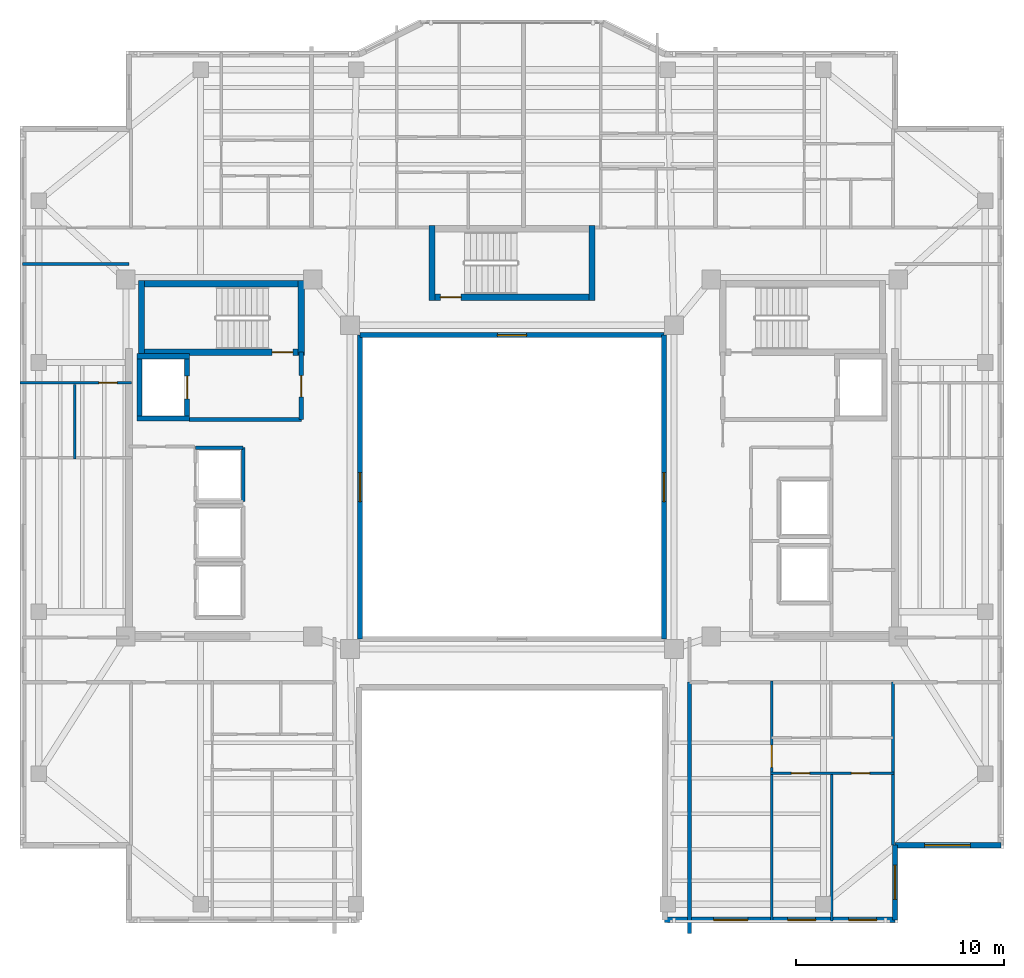
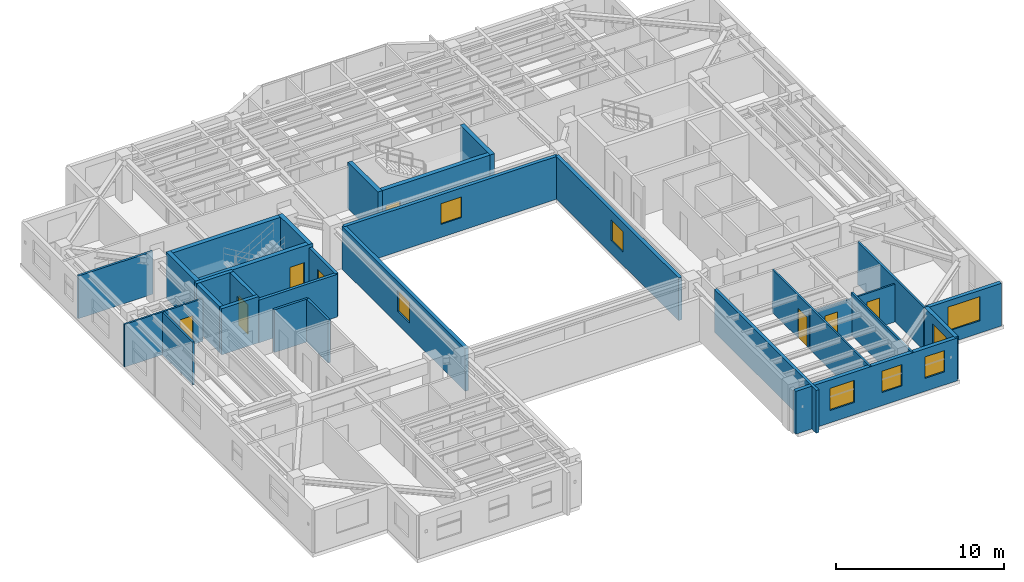
# One storey, part 5 of 12: 29 walls, 8 doors, 8 windows, 16 openings.
"""IFC4 building model written with IfcOpenShell, lengths in metres."""

from ifc_helpers import new_model, si_unit, direction, frame, frame_2d, origin, place, context, subcontext, project, spatial, rectangle, extrude, material, layer, layer_set, type_object, element, fill, save


model = new_model("IFC4")

# Units and contexts
model_context = context("Model", 3, precision=1e-05, world=origin(), true_north=direction((0.0, 1.0)))
body_context = subcontext(model_context, "Body", "Model", "MODEL_VIEW")
ifc_project = project(units=[si_unit("LENGTHUNIT", "METRE"), si_unit("AREAUNIT", "SQUARE_METRE"), si_unit("VOLUMEUNIT", "CUBIC_METRE"), si_unit("PLANEANGLEUNIT", "RADIAN"), si_unit("MASSUNIT", "GRAM", prefix="KILO")], contexts=[model_context])

# Site, building, storey
site_placement = place(None, origin())
site = spatial("IfcSite", under=ifc_project, at=site_placement, CompositionType="ELEMENT")
building_placement = place(site_placement, origin())
building = spatial("IfcBuilding", under=site, at=building_placement, Name="Tarnavaz Court Tower", CompositionType="ELEMENT")
storey_placement = place(building_placement, frame((0.0, 0.0, 203.64990234375)))
storey = spatial("IfcBuildingStorey", under=building, at=storey_placement, Name="L55", CompositionType="ELEMENT", Elevation=203.64990234375)

# Wall
ifc_material_1 = material(Name="Concrete C50/60", Category="concrete")
ifc_layer_1 = layer(ifc_material_1, 0.25)
ifc_layer_set_1 = layer_set([ifc_layer_1], Name="Concrete C50/60")
wall_type_1 = type_object("IfcWallType", Name="WL-CORE-250-C50", PredefinedType="SHEAR", material=ifc_layer_set_1)
wall_1_placement = place(storey_placement, frame((-17.949951171875, 3.175048828125, 0.0), z_axis=(0.0, 0.0, 1.0), x_axis=(0.0, 1.0, 0.0)))
element("IfcWall", 1, at=wall_1_placement, inside=storey, type_object=wall_type_1, Name="L55 Lift FL-W1 Shaft Wall 017", PredefinedType="SHEAR", context=body_context, shape_type="SweptSolid", body=[
    extrude(rectangle(XDim=3.25, YDim=0.25, at=frame_2d((1.625, 0.0))), origin(), (0.0, 0.0, 1.0), 3.35009765625),
])

# Wall, opening, door
wall_2_placement = place(storey_placement, frame((-15.64990234375, 3.175048828125, 0.0), z_axis=(0.0, 0.0, 1.0), x_axis=(0.0, 1.0, 0.0)))
wall_2 = element("IfcWall", 2, at=wall_2_placement, inside=storey, type_object=wall_type_1, Name="L55 Lift FL-W1 Shaft Wall 018", PredefinedType="SHEAR", context=body_context, shape_type="SweptSolid", body=[
    extrude(rectangle(XDim=3.25, YDim=0.25, at=frame_2d((1.625, 0.0))), origin(), (0.0, 0.0, 1.0), 3.35009765625),
])
opening_1_placement = place(wall_2_placement, frame((1.074951171875, 0.0, 0.0)))
opening_1 = element("IfcOpeningElement", 3, at=opening_1_placement, cuts=wall_2, Name="Opening LD1", PredefinedType="OPENING", context=body_context, shape_type="SweptSolid", body=[
    extrude(rectangle(XDim=1.10009765625, YDim=2.14990234375, at=frame_2d((0.550048828125, 1.074951171875))), frame((0.0, 0.135009765625, 0.0), z_axis=(0.0, -1.0, 0.0), x_axis=(1.0, 0.0, 0.0)), (0.0, 0.0, 1.0), 0.27001953125),
])
ifc_material_2 = material(Name="Stainless Steel", Category="steel")
door_type_1 = type_object("IfcDoorType", Name="DR-LD-1100", OperationType="NOTDEFINED", PredefinedType="DOOR", material=ifc_material_2)
door_1_placement = place(opening_1_placement, origin())
door_1 = element("IfcDoor", 4, at=door_1_placement, inside=storey, type_object=door_type_1, Name="L55 Lift Landing Door LD-FL-W1", OperationType="SLIDING_TO_LEFT", OverallHeight=2.14990234375, OverallWidth=1.10009765625, PredefinedType="DOOR", context=body_context, shape_type="SweptSolid", body=[
    extrude(rectangle(XDim=1.10009765625, YDim=2.14990234375, at=frame_2d((0.550048828125, 1.074951171875))), frame((0.0, 0.02490234375, 0.0), z_axis=(0.0, -1.0, 0.0), x_axis=(1.0, 0.0, 0.0)), (0.0, 0.0, 1.0), 0.050048828125),
])
fill(opening_1, door_1)

# Walls
for number, where, z_axis, x_axis, name in (
    (5, (-18.074951171875, 3.300048828125, 0.0), (0.0, 0.0, 1.0), (1.0, 0.0, 0.0), "L55 Lift FL-W1 Shaft Wall 019"),
    (6, (-18.074951171875, 6.300048828125, 0.0), (0.0, 0.0, 1.0), (1.0, 0.0, 0.0), "L55 Lift FL-W1 Shaft Wall 020"),
):
    element("IfcWall", number, at=place(storey_placement, frame(where, z_axis=z_axis, x_axis=x_axis)), inside=storey, type_object=wall_type_1, Name=name, PredefinedType="SHEAR", context=body_context, shape_type="SweptSolid", body=[
        extrude(rectangle(XDim=2.550048828125, YDim=0.25, at=frame_2d((1.27490234375, 0.0))), origin(), (0.0, 0.0, 1.0), 3.35009765625),
    ])
ifc_layer_2 = layer(ifc_material_1, 0.300048828125)
ifc_layer_set_2 = layer_set([ifc_layer_2], Name="Concrete C50/60")
wall_type_2 = type_object("IfcWallType", Name="WL-CORE-300-C50", PredefinedType="SHEAR", material=ifc_layer_set_2)
wall_3_placement = place(storey_placement, frame((-18.0, 9.7900390625, 0.0), z_axis=(0.0, 0.0, 1.0), x_axis=(1.0, 0.0, 0.0)))
element("IfcWall", 7, at=wall_3_placement, inside=storey, type_object=wall_type_2, Name="L55 West Stair Core Wall 001", PredefinedType="SHEAR", context=body_context, shape_type="SweptSolid", body=[
    extrude(rectangle(XDim=8.0, YDim=0.300048828125, at=frame_2d((4.0, 0.0))), origin(), (0.0, 0.0, 1.0), 3.35009765625),
])

# Wall, opening, door
wall_4_placement = place(storey_placement, frame((-18.0, 6.5, 0.0), z_axis=(0.0, 0.0, 1.0), x_axis=(1.0, 0.0, 0.0)))
wall_4 = element("IfcWall", 8, at=wall_4_placement, inside=storey, type_object=wall_type_2, Name="L55 West Stair Core Wall 002", PredefinedType="SHEAR", context=body_context, shape_type="SweptSolid", body=[
    extrude(rectangle(XDim=8.0, YDim=0.300048828125, at=frame_2d((4.0, 0.0))), origin(), (0.0, 0.0, 1.0), 3.35009765625),
])
opening_2_placement = place(wall_4_placement, frame((6.449951171875, 0.0, 0.0)))
opening_2 = element("IfcOpeningElement", 9, at=opening_2_placement, cuts=wall_4, Name="Opening D01", PredefinedType="OPENING", context=body_context, shape_type="SweptSolid", body=[
    extrude(rectangle(XDim=1.0, YDim=2.14990234375, at=frame_2d((0.5, 1.074951171875))), frame((0.0, 0.159912109375, 0.0), z_axis=(0.0, -1.0, 0.0), x_axis=(1.0, 0.0, 0.0)), (0.0, 0.0, 1.0), 0.320068359375),
])
ifc_material_3 = material(Name="Fire-Rated Hardwood Timber Core", Category="wood")
door_type_2 = type_object("IfcDoorType", Name="DR-FD90-1000", OperationType="NOTDEFINED", PredefinedType="DOOR", material=ifc_material_3)
door_2_placement = place(opening_2_placement, origin())
door_2 = element("IfcDoor", 10, at=door_2_placement, inside=storey, type_object=door_type_2, Name="L55 Stair ST-W1 Exit Door", OperationType="SINGLE_SWING_LEFT", OverallHeight=2.14990234375, OverallWidth=1.0, PredefinedType="DOOR", context=body_context, shape_type="SweptSolid", body=[
    extrude(rectangle(XDim=1.0, YDim=2.14990234375, at=frame_2d((0.5, 1.074951171875))), frame((0.0, 0.02490234375, 0.0), z_axis=(0.0, -1.0, 0.0), x_axis=(1.0, 0.0, 0.0)), (0.0, 0.0, 1.0), 0.050048828125),
])
fill(opening_2, door_2)

# Walls
for number, where, z_axis, x_axis, name in (
    (11, (-17.85009765625, 6.35009765625, 0.0), (0.0, 0.0, 1.0), (0.0, 1.0, 0.0), "L55 West Stair Core Wall 003"),
    (12, (-10.14990234375, 6.35009765625, 0.0), (0.0, 0.0, 1.0), (0.0, 1.0, 0.0), "L55 West Stair Core Wall 004"),
):
    element("IfcWall", number, at=place(storey_placement, frame(where, z_axis=z_axis, x_axis=x_axis)), inside=storey, type_object=wall_type_2, Name=name, PredefinedType="SHEAR", context=body_context, shape_type="SweptSolid", body=[
        extrude(rectangle(XDim=3.58984375, YDim=0.300048828125, at=frame_2d((1.794921875, 0.0))), origin(), (0.0, 0.0, 1.0), 3.35009765625),
    ])

# Wall, opening, door
wall_5_placement = place(storey_placement, frame((-4.0, 9.14990234375, 0.0), z_axis=(0.0, 0.0, 1.0), x_axis=(1.0, 0.0, 0.0)))
wall_5 = element("IfcWall", 13, at=wall_5_placement, inside=storey, type_object=wall_type_2, Name="L55 North Stair Core Wall 010", PredefinedType="SHEAR", context=body_context, shape_type="SweptSolid", body=[
    extrude(rectangle(XDim=8.0, YDim=0.300048828125, at=frame_2d((4.0, 0.0))), origin(), (0.0, 0.0, 1.0), 3.35009765625),
])
opening_3_placement = place(wall_5_placement, frame((0.550048828125, 0.0, 0.0)))
opening_3 = element("IfcOpeningElement", 14, at=opening_3_placement, cuts=wall_5, Name="Opening D01", PredefinedType="OPENING", context=body_context, shape_type="SweptSolid", body=[
    extrude(rectangle(XDim=1.0, YDim=2.14990234375, at=frame_2d((0.5, 1.074951171875))), frame((0.0, 0.159912109375, 0.0), z_axis=(0.0, -1.0, 0.0), x_axis=(1.0, 0.0, 0.0)), (0.0, 0.0, 1.0), 0.320068359375),
])
door_3_placement = place(opening_3_placement, origin())
door_3 = element("IfcDoor", 15, at=door_3_placement, inside=storey, type_object=door_type_2, Name="L55 Stair ST-N1 Exit Door", OperationType="SINGLE_SWING_LEFT", OverallHeight=2.14990234375, OverallWidth=1.0, PredefinedType="DOOR", context=body_context, shape_type="SweptSolid", body=[
    extrude(rectangle(XDim=1.0, YDim=2.14990234375, at=frame_2d((0.5, 1.074951171875))), frame((0.0, 0.02490234375, 0.0), z_axis=(0.0, -1.0, 0.0), x_axis=(1.0, 0.0, 0.0)), (0.0, 0.0, 1.0), 0.050048828125),
])
fill(opening_3, door_3)

# Walls
for number, where, z_axis, x_axis, name in (
    (16, (-3.85009765625, 9.0, 0.0), (0.0, 0.0, 1.0), (0.0, 1.0, 0.0), "L55 North Stair Core Wall 011"),
    (17, (3.85009765625, 9.0, 0.0), (0.0, 0.0, 1.0), (0.0, 1.0, 0.0), "L55 North Stair Core Wall 012"),
):
    element("IfcWall", number, at=place(storey_placement, frame(where, z_axis=z_axis, x_axis=x_axis)), inside=storey, type_object=wall_type_2, Name=name, PredefinedType="SHEAR", context=body_context, shape_type="SweptSolid", body=[
        extrude(rectangle(XDim=3.590087890625, YDim=0.300048828125, at=frame_2d((1.794921875, 0.0))), origin(), (0.0, 0.0, 1.0), 3.35009765625),
    ])

# Wall, opening, window
ifc_material_4 = material(Name="Precast Concrete C40/50", Category="concrete")
ifc_layer_3 = layer(ifc_material_4, 0.260009765625)
ifc_layer_set_3 = layer_set([ifc_layer_3], Name="Precast Concrete C40/50")
wall_type_3 = type_object("IfcWallType", Name="WL-EXT-260", PredefinedType="SOLIDWALL", material=ifc_layer_set_3)
wall_6_placement = place(storey_placement, frame((23.550048828125, -17.25, 0.0), z_axis=(0.0, 0.0, 1.0), x_axis=(-1.0, 0.0, 0.0)))
wall_6 = element("IfcWall", 18, at=wall_6_placement, inside=storey, type_object=wall_type_3, Name="L55 Exterior Terracotta Facade Wall 13", PredefinedType="SOLIDWALL", context=body_context, shape_type="SweptSolid", body=[
    extrude(rectangle(XDim=5.10009765625, YDim=0.260009765625, at=frame_2d((2.550048828125, 0.0))), origin(), (0.0, 0.0, 1.0), 3.10009765625),
])
opening_4_placement = place(wall_6_placement, frame((1.47509765625, 0.0, 0.89990234375)))
opening_4 = element("IfcOpeningElement", 19, at=opening_4_placement, cuts=wall_6, Name="Opening W07", PredefinedType="OPENING", context=body_context, shape_type="SweptSolid", body=[
    extrude(rectangle(XDim=2.199951171875, YDim=1.75, at=frame_2d((1.10009765625, 0.875))), frame((0.0, 0.139892578125, 0.0), z_axis=(0.0, -1.0, 0.0), x_axis=(1.0, 0.0, 0.0)), (0.0, 0.0, 1.0), 0.280029296875),
])
ifc_material_5 = material(Name="Double-Glazed Solar Low-E Glass", Category="glass")
window_type_1 = type_object("IfcWindowType", Name="WN-APT-2200", PartitioningType="TRIPLE_PANEL_VERTICAL", PredefinedType="WINDOW", material=ifc_material_5)
window_1_placement = place(opening_4_placement, origin())
window_1 = element("IfcWindow", 20, at=window_1_placement, inside=storey, type_object=window_type_1, Name="L55 South-East Corner Reading Room Window", OverallHeight=1.75, OverallWidth=2.199951171875, PartitioningType="SINGLE_PANEL", PredefinedType="WINDOW", context=body_context, shape_type="SweptSolid", body=[
    extrude(rectangle(XDim=2.199951171875, YDim=1.75, at=frame_2d((1.10009765625, 0.875))), frame((0.0, 0.030029296875, 0.0), z_axis=(0.0, -1.0, 0.0), x_axis=(1.0, 0.0, 0.0)), (0.0, 0.0, 1.0), 0.06005859375),
])
fill(opening_4, window_1)

wall_7_placement = place(storey_placement, frame((18.449951171875, -17.25, 0.0), z_axis=(0.0, 0.0, 1.0), x_axis=(0.0, -1.0, 0.0)))
wall_7 = element("IfcWall", 21, at=wall_7_placement, inside=storey, type_object=wall_type_3, Name="L55 Exterior Terracotta Facade Wall 14", PredefinedType="SOLIDWALL", context=body_context, shape_type="SweptSolid", body=[
    extrude(rectangle(XDim=3.60009765625, YDim=0.260009765625, at=frame_2d((1.800048828125, 0.0))), origin(), (0.0, 0.0, 1.0), 3.10009765625),
])
opening_5_placement = place(wall_7_placement, frame((0.95751953125, 0.0, 0.89990234375)))
opening_5 = element("IfcOpeningElement", 22, at=opening_5_placement, cuts=wall_7, Name="Opening W02", PredefinedType="OPENING", context=body_context, shape_type="SweptSolid", body=[
    extrude(rectangle(XDim=1.64990234375, YDim=1.60009765625, at=frame_2d((0.824951171875, 0.800048828125))), frame((0.0, 0.139892578125, 0.0), z_axis=(0.0, -1.0, 0.0), x_axis=(1.0, 0.0, 0.0)), (0.0, 0.0, 1.0), 0.280029296875),
])
window_type_2 = type_object("IfcWindowType", Name="WN-APT-1650", PartitioningType="DOUBLE_PANEL_VERTICAL", PredefinedType="WINDOW", material=ifc_material_5)
window_2_placement = place(opening_5_placement, origin())
window_2 = element("IfcWindow", 23, at=window_2_placement, inside=storey, type_object=window_type_2, Name="L55 Flat 06 Bedroom 2 Window", OverallHeight=1.60009765625, OverallWidth=1.64990234375, PartitioningType="SINGLE_PANEL", PredefinedType="WINDOW", context=body_context, shape_type="SweptSolid", body=[
    extrude(rectangle(XDim=1.64990234375, YDim=1.60009765625, at=frame_2d((0.824951171875, 0.800048828125))), frame((0.0, 0.030029296875, 0.0), z_axis=(0.0, -1.0, 0.0), x_axis=(1.0, 0.0, 0.0)), (0.0, 0.0, 1.0), 0.06005859375),
])
fill(opening_5, window_2)

# Wall, openings, windows
wall_8_placement = place(storey_placement, frame((18.449951171875, -20.85009765625, 0.0), z_axis=(0.0, 0.0, 1.0), x_axis=(-1.0, 0.0, 0.0)))
wall_8 = element("IfcWall", 24, at=wall_8_placement, inside=storey, type_object=wall_type_3, Name="L55 Exterior Terracotta Facade Wall 15", PredefinedType="SOLIDWALL", context=body_context, shape_type="SweptSolid", body=[
    extrude(rectangle(XDim=11.099853515625, YDim=0.260009765625, at=frame_2d((5.5498046875, 0.0))), origin(), (0.0, 0.0, 1.0), 3.10009765625),
])
opening_6_placement = place(wall_8_placement, frame((0.882080078125, 0.0, 0.949951171875)))
opening_6 = element("IfcOpeningElement", 25, at=opening_6_placement, cuts=wall_8, Name="Opening W04", PredefinedType="OPENING", context=body_context, shape_type="SweptSolid", body=[
    extrude(rectangle(XDim=1.35009765625, YDim=1.550048828125, at=frame_2d((0.675048828125, 0.77490234375))), frame((0.0, 0.139892578125, 0.0), z_axis=(0.0, -1.0, 0.0), x_axis=(1.0, 0.0, 0.0)), (0.0, 0.0, 1.0), 0.280029296875),
])
opening_7_placement = place(wall_8_placement, frame((3.8203125, 0.0, 0.949951171875)))
opening_7 = element("IfcOpeningElement", 26, at=opening_7_placement, cuts=wall_8, Name="Opening W04", PredefinedType="OPENING", context=body_context, shape_type="SweptSolid", body=[
    extrude(rectangle(XDim=1.35009765625, YDim=1.550048828125, at=frame_2d((0.675048828125, 0.77490234375))), frame((0.0, 0.139892578125, 0.0), z_axis=(0.0, -1.0, 0.0), x_axis=(1.0, 0.0, 0.0)), (0.0, 0.0, 1.0), 0.280029296875),
])
opening_8_placement = place(wall_8_placement, frame((7.085693359375, 0.0, 0.89990234375)))
opening_8 = element("IfcOpeningElement", 27, at=opening_8_placement, cuts=wall_8, Name="Opening W02", PredefinedType="OPENING", context=body_context, shape_type="SweptSolid", body=[
    extrude(rectangle(XDim=1.64990234375, YDim=1.60009765625, at=frame_2d((0.824951171875, 0.800048828125))), frame((0.0, 0.139892578125, 0.0), z_axis=(0.0, -1.0, 0.0), x_axis=(1.0, 0.0, 0.0)), (0.0, 0.0, 1.0), 0.280029296875),
])
window_type_3 = type_object("IfcWindowType", Name="WN-APT-1350", PartitioningType="SINGLE_PANEL", PredefinedType="WINDOW", material=ifc_material_5)
window_3_placement = place(opening_6_placement, origin())
window_3 = element("IfcWindow", 28, at=window_3_placement, inside=storey, type_object=window_type_3, Name="L55 Flat 06 Bedroom 2 Window", OverallHeight=1.550048828125, OverallWidth=1.35009765625, PartitioningType="SINGLE_PANEL", PredefinedType="WINDOW", context=body_context, shape_type="SweptSolid", body=[
    extrude(rectangle(XDim=1.35009765625, YDim=1.550048828125, at=frame_2d((0.675048828125, 0.77490234375))), frame((0.0, 0.030029296875, 0.0), z_axis=(0.0, -1.0, 0.0), x_axis=(1.0, 0.0, 0.0)), (0.0, 0.0, 1.0), 0.06005859375),
])
fill(opening_6, window_3)
window_4_placement = place(opening_7_placement, origin())
window_4 = element("IfcWindow", 29, at=window_4_placement, inside=storey, type_object=window_type_3, Name="L55 Flat 06 Principal Bedroom Window", OverallHeight=1.550048828125, OverallWidth=1.35009765625, PartitioningType="SINGLE_PANEL", PredefinedType="WINDOW", context=body_context, shape_type="SweptSolid", body=[
    extrude(rectangle(XDim=1.35009765625, YDim=1.550048828125, at=frame_2d((0.675048828125, 0.77490234375))), frame((0.0, 0.030029296875, 0.0), z_axis=(0.0, -1.0, 0.0), x_axis=(1.0, 0.0, 0.0)), (0.0, 0.0, 1.0), 0.06005859375),
])
fill(opening_7, window_4)
window_5_placement = place(opening_8_placement, origin())
window_5 = element("IfcWindow", 30, at=window_5_placement, inside=storey, type_object=window_type_2, Name="L55 Flat 06 Living and Dining Room Window", OverallHeight=1.60009765625, OverallWidth=1.64990234375, PartitioningType="SINGLE_PANEL", PredefinedType="WINDOW", context=body_context, shape_type="SweptSolid", body=[
    extrude(rectangle(XDim=1.64990234375, YDim=1.60009765625, at=frame_2d((0.824951171875, 0.800048828125))), frame((0.0, 0.030029296875, 0.0), z_axis=(0.0, -1.0, 0.0), x_axis=(1.0, 0.0, 0.0)), (0.0, 0.0, 1.0), 0.06005859375),
])
fill(opening_8, window_5)

# Walls
ifc_material_6 = material(Name="Gypsum Fire-Board on Acoustic Metal Stud", Category="masonry")
ifc_layer_4 = layer(ifc_material_6, 0.14990234375)
ifc_layer_set_4 = layer_set([ifc_layer_4], Name="Gypsum Fire-Board on Acoustic Metal Stud")
wall_type_4 = type_object("IfcWallType", Name="WL-FIRE-150", PredefinedType="PARTITIONING", material=ifc_layer_set_4)
wall_9_placement = place(storey_placement, frame((-23.580078125, 10.75, 0.0), z_axis=(0.0, 0.0, 1.0), x_axis=(1.0, 0.0, 0.0)))
element("IfcWall", 31, at=wall_9_placement, inside=storey, type_object=wall_type_4, Name="L55 Interior Partition 104", PredefinedType="PARTITIONING", context=body_context, shape_type="SweptSolid", body=[
    extrude(rectangle(XDim=5.130126953125, YDim=0.14990234375, at=frame_2d((2.56494140625, 0.0))), origin(), (0.0, 0.0, 1.0), 3.10009765625),
])
ifc_material_7 = material(Name="Autoclaved Aerated Concrete Blockwork", Category="masonry")
ifc_layer_5 = layer(ifc_material_7, 0.199951171875)
ifc_layer_set_5 = layer_set([ifc_layer_5], Name="Autoclaved Aerated Concrete Blockwork")
wall_type_5 = type_object("IfcWallType", Name="WL-FIRE-200", PredefinedType="SOLIDWALL", material=ifc_layer_set_5)
wall_10_placement = place(storey_placement, frame((-15.550048828125, 3.25, 0.0), z_axis=(0.0, 0.0, 1.0), x_axis=(1.0, 0.0, 0.0)))
element("IfcWall", 32, at=wall_10_placement, inside=storey, type_object=wall_type_5, Name="L55 West Firefighting Lobby Wall 013", PredefinedType="SOLIDWALL", context=body_context, shape_type="SweptSolid", body=[
    extrude(rectangle(XDim=5.400146484375, YDim=0.199951171875, at=frame_2d((2.7001953125, 0.0))), origin(), (0.0, 0.0, 1.0), 3.10009765625),
])

# Wall, opening, door
wall_11_placement = place(storey_placement, frame((-10.14990234375, 3.25, 0.0), z_axis=(0.0, 0.0, 1.0), x_axis=(0.0, 1.0, 0.0)))
wall_11 = element("IfcWall", 33, at=wall_11_placement, inside=storey, type_object=wall_type_5, Name="L55 West Firefighting Lobby Wall 014", PredefinedType="SOLIDWALL", context=body_context, shape_type="SweptSolid", body=[
    extrude(rectangle(XDim=3.25, YDim=0.199951171875, at=frame_2d((1.625, 0.0))), origin(), (0.0, 0.0, 1.0), 3.10009765625),
])
opening_9_placement = place(wall_11_placement, frame((1.10009765625, 0.0, 0.0)))
opening_9 = element("IfcOpeningElement", 34, at=opening_9_placement, cuts=wall_11, Name="Opening D05", PredefinedType="OPENING", context=body_context, shape_type="SweptSolid", body=[
    extrude(rectangle(XDim=1.02001953125, YDim=2.14990234375, at=frame_2d((0.510009765625, 1.074951171875))), frame((0.0, 0.10986328125, 0.0), z_axis=(0.0, -1.0, 0.0), x_axis=(1.0, 0.0, 0.0)), (0.0, 0.0, 1.0), 0.219970703125),
])
door_type_3 = type_object("IfcDoorType", Name="DR-FD60-1000", OperationType="NOTDEFINED", PredefinedType="DOOR", material=ifc_material_3)
door_4_placement = place(opening_9_placement, origin())
door_4 = element("IfcDoor", 35, at=door_4_placement, inside=storey, type_object=door_type_3, Name="L55 West Firefighting Lobby Door", OperationType="SINGLE_SWING_RIGHT", OverallHeight=2.14990234375, OverallWidth=1.02001953125, PredefinedType="DOOR", context=body_context, shape_type="SweptSolid", body=[
    extrude(rectangle(XDim=1.02001953125, YDim=2.14990234375, at=frame_2d((0.510009765625, 1.074951171875))), frame((0.0, 0.02490234375, 0.0), z_axis=(0.0, -1.0, 0.0), x_axis=(1.0, 0.0, 0.0)), (0.0, 0.0, 1.0), 0.050048828125),
])
fill(opening_9, door_4)

# Wall
wall_12_placement = place(storey_placement, frame((8.550048828125, -21.50390625, 0.0), z_axis=(0.0, 0.0, 1.0), x_axis=(0.0, 1.0, 0.0)))
element("IfcWall", 36, at=wall_12_placement, inside=storey, type_object=wall_type_5, Name="L55 Party Wall 102", PredefinedType="SOLIDWALL", context=body_context, shape_type="SweptSolid", body=[
    extrude(rectangle(XDim=12.10400390625, YDim=0.199951171875, at=frame_2d((6.052001953125, 0.0))), origin(), (0.0, 0.0, 1.0), 3.10009765625),
])

# Wall, opening, door
ifc_material_8 = material(Name="Moisture-Resistant Gypsum Board Partition", Category="masonry")
ifc_layer_6 = layer(ifc_material_8, 0.1201171875)
ifc_layer_set_6 = layer_set([ifc_layer_6], Name="Moisture-Resistant Gypsum Board Partition")
wall_type_6 = type_object("IfcWallType", Name="WL-PART-120", PredefinedType="PARTITIONING", material=ifc_layer_set_6)
wall_13_placement = place(storey_placement, frame((12.511962890625, -20.89990234375, 0.0), z_axis=(0.0, 0.0, 1.0), x_axis=(0.0, 1.0, 0.0)))
wall_13 = element("IfcWall", 37, at=wall_13_placement, inside=storey, type_object=wall_type_6, Name="L55 Interior Partition 095", PredefinedType="PARTITIONING", context=body_context, shape_type="SweptSolid", body=[
    extrude(rectangle(XDim=11.559814453125, YDim=0.1201171875, at=frame_2d((5.77978515625, 0.0))), origin(), (0.0, 0.0, 1.0), 3.10009765625),
])
opening_10_placement = place(wall_13_placement, frame((7.39501953125, 0.0, 0.0)))
opening_10 = element("IfcOpeningElement", 38, at=opening_10_placement, cuts=wall_13, Name="Opening D12", PredefinedType="OPENING", context=body_context, shape_type="SweptSolid", body=[
    extrude(rectangle(XDim=1.080078125, YDim=2.14990234375, at=frame_2d((0.5400390625, 1.074951171875))), frame((0.0, 0.070068359375, 0.0), z_axis=(0.0, -1.0, 0.0), x_axis=(1.0, 0.0, 0.0)), (0.0, 0.0, 1.0), 0.14013671875),
])
ifc_material_9 = material(Name="Engineered Oak Timber", Category="wood")
door_type_4 = type_object("IfcDoorType", Name="DR-INT-1100", OperationType="NOTDEFINED", PredefinedType="DOOR", material=ifc_material_9)
door_5_placement = place(opening_10_placement, origin())
door_5 = element("IfcDoor", 39, at=door_5_placement, inside=storey, type_object=door_type_4, Name="L55 Flat 06 Foyer Door", OperationType="SINGLE_SWING_LEFT", OverallHeight=2.14990234375, OverallWidth=1.080078125, PredefinedType="DOOR", context=body_context, shape_type="SweptSolid", body=[
    extrude(rectangle(XDim=1.080078125, YDim=2.14990234375, at=frame_2d((0.5400390625, 1.074951171875))), frame((0.0, 0.02490234375, 0.0), z_axis=(0.0, -1.0, 0.0), x_axis=(1.0, 0.0, 0.0)), (0.0, 0.0, 1.0), 0.050048828125),
])
fill(opening_10, door_5)

# Wall, openings, doors
wall_14_placement = place(storey_placement, frame((12.451904296875, -13.7900390625, 0.0), z_axis=(0.0, 0.0, 1.0), x_axis=(1.0, 0.0, 0.0)))
wall_14 = element("IfcWall", 40, at=wall_14_placement, inside=storey, type_object=wall_type_6, Name="L55 Interior Partition 098", PredefinedType="PARTITIONING", context=body_context, shape_type="SweptSolid", body=[
    extrude(rectangle(XDim=5.9580078125, YDim=0.1201171875, at=frame_2d((2.97900390625, 0.0))), origin(), (0.0, 0.0, 1.0), 2.72509765625),
])
opening_11_placement = place(wall_14_placement, frame((1.0048828125, 0.0, 0.0)))
opening_11 = element("IfcOpeningElement", 41, at=opening_11_placement, cuts=wall_14, Name="Opening D14", PredefinedType="OPENING", context=body_context, shape_type="SweptSolid", body=[
    extrude(rectangle(XDim=0.8798828125, YDim=2.10009765625, at=frame_2d((0.43994140625, 1.050048828125))), frame((0.0, 0.070068359375, 0.0), z_axis=(0.0, -1.0, 0.0), x_axis=(1.0, 0.0, 0.0)), (0.0, 0.0, 1.0), 0.14013671875),
])
opening_12_placement = place(wall_14_placement, frame((3.89404296875, 0.0, 0.0)))
opening_12 = element("IfcOpeningElement", 42, at=opening_12_placement, cuts=wall_14, Name="Opening D14", PredefinedType="OPENING", context=body_context, shape_type="SweptSolid", body=[
    extrude(rectangle(XDim=0.8798828125, YDim=2.10009765625, at=frame_2d((0.43994140625, 1.050048828125))), frame((0.0, 0.070068359375, 0.0), z_axis=(0.0, -1.0, 0.0), x_axis=(1.0, 0.0, 0.0)), (0.0, 0.0, 1.0), 0.14013671875),
])
door_type_5 = type_object("IfcDoorType", Name="DR-INT-900", OperationType="NOTDEFINED", PredefinedType="DOOR", material=ifc_material_9)
door_6_placement = place(opening_11_placement, origin())
door_6 = element("IfcDoor", 43, at=door_6_placement, inside=storey, type_object=door_type_5, Name="L55 Flat 06 Bedroom 1 Door", OperationType="SINGLE_SWING_RIGHT", OverallHeight=2.10009765625, OverallWidth=0.8798828125, PredefinedType="DOOR", context=body_context, shape_type="SweptSolid", body=[
    extrude(rectangle(XDim=0.8798828125, YDim=2.10009765625, at=frame_2d((0.43994140625, 1.050048828125))), frame((0.0, 0.02490234375, 0.0), z_axis=(0.0, -1.0, 0.0), x_axis=(1.0, 0.0, 0.0)), (0.0, 0.0, 1.0), 0.050048828125),
])
fill(opening_11, door_6)
door_7_placement = place(opening_12_placement, origin())
door_7 = element("IfcDoor", 44, at=door_7_placement, inside=storey, type_object=door_type_5, Name="L55 Flat 06 Bedroom 2 Door", OperationType="SINGLE_SWING_LEFT", OverallHeight=2.10009765625, OverallWidth=0.8798828125, PredefinedType="DOOR", context=body_context, shape_type="SweptSolid", body=[
    extrude(rectangle(XDim=0.8798828125, YDim=2.10009765625, at=frame_2d((0.43994140625, 1.050048828125))), frame((0.0, 0.02490234375, 0.0), z_axis=(0.0, -1.0, 0.0), x_axis=(1.0, 0.0, 0.0)), (0.0, 0.0, 1.0), 0.050048828125),
])
fill(opening_12, door_7)

# Wall
wall_15_placement = place(storey_placement, frame((15.40087890625, -20.89990234375, 0.0), z_axis=(0.0, 0.0, 1.0), x_axis=(0.0, 1.0, 0.0)))
element("IfcWall", 45, at=wall_15_placement, inside=storey, type_object=wall_type_6, Name="L55 Interior Partition 100", PredefinedType="PARTITIONING", context=body_context, shape_type="SweptSolid", body=[
    extrude(rectangle(XDim=7.169921875, YDim=0.1201171875, at=frame_2d((3.5849609375, 0.0))), origin(), (0.0, 0.0, 1.0), 3.10009765625),
])

# Wall, opening, door
wall_16_placement = place(storey_placement, frame((-23.699951171875, 5.02001953125, 0.0), z_axis=(0.0, 0.0, 1.0), x_axis=(1.0, 0.0, 0.0)))
wall_16 = element("IfcWall", 46, at=wall_16_placement, inside=storey, type_object=wall_type_6, Name="L55 Interior Partition 116", PredefinedType="PARTITIONING", context=body_context, shape_type="SweptSolid", body=[
    extrude(rectangle(XDim=5.369873046875, YDim=0.1201171875, at=frame_2d((2.68505859375, 0.0))), origin(), (0.0, 0.0, 1.0), 3.10009765625),
])
opening_13_placement = place(wall_16_placement, frame((3.800048828125, 0.0, 0.0)))
opening_13 = element("IfcOpeningElement", 47, at=opening_13_placement, cuts=wall_16, Name="Opening D14", PredefinedType="OPENING", context=body_context, shape_type="SweptSolid", body=[
    extrude(rectangle(XDim=0.8798828125, YDim=2.10009765625, at=frame_2d((0.43994140625, 1.050048828125))), frame((0.0, 0.070068359375, 0.0), z_axis=(0.0, -1.0, 0.0), x_axis=(1.0, 0.0, 0.0)), (0.0, 0.0, 1.0), 0.14013671875),
])
door_8_placement = place(opening_13_placement, origin())
door_8 = element("IfcDoor", 48, at=door_8_placement, inside=storey, type_object=door_type_5, Name="L55 Flat 07 Study Door", OperationType="SINGLE_SWING_LEFT", OverallHeight=2.10009765625, OverallWidth=0.8798828125, PredefinedType="DOOR", context=body_context, shape_type="SweptSolid", body=[
    extrude(rectangle(XDim=0.8798828125, YDim=2.10009765625, at=frame_2d((0.43994140625, 1.050048828125))), frame((0.0, 0.02490234375, 0.0), z_axis=(0.0, -1.0, 0.0), x_axis=(1.0, 0.0, 0.0)), (0.0, 0.0, 1.0), 0.050048828125),
])
fill(opening_13, door_8)

# Walls
wall_17_placement = place(storey_placement, frame((-21.06494140625, 1.360107421875, 0.0), z_axis=(0.0, 0.0, 1.0), x_axis=(0.0, 1.0, 0.0)))
element("IfcWall", 49, at=wall_17_placement, inside=storey, type_object=wall_type_6, Name="L55 Interior Partition 117", PredefinedType="PARTITIONING", context=body_context, shape_type="SweptSolid", body=[
    extrude(rectangle(XDim=3.579833984375, YDim=0.1201171875, at=frame_2d((1.7900390625, 0.0))), origin(), (0.0, 0.0, 1.0), 3.10009765625),
])
ifc_material_10 = material(Name="Gypsum Plasterboard Acoustic Partition", Category="masonry")
ifc_layer_7 = layer(ifc_material_10, 0.139892578125)
ifc_layer_set_7 = layer_set([ifc_layer_7], Name="Gypsum Plasterboard Acoustic Partition")
wall_type_7 = type_object("IfcWallType", Name="WL-PART-150", PredefinedType="PARTITIONING", material=ifc_layer_set_7)
wall_18_placement = place(storey_placement, frame((18.35009765625, -17.25, 0.0), z_axis=(0.0, 0.0, 1.0), x_axis=(0.0, 1.0, 0.0)))
element("IfcWall", 50, at=wall_18_placement, inside=storey, type_object=wall_type_7, Name="L55 Interior Partition 108", PredefinedType="PARTITIONING", context=body_context, shape_type="SweptSolid", body=[
    extrude(rectangle(XDim=7.85009765625, YDim=0.139892578125, at=frame_2d((3.925048828125, 0.0))), origin(), (0.0, 0.0, 1.0), 3.10009765625),
])
ifc_layer_8 = layer(ifc_material_7, 0.159912109375)
ifc_layer_set_8 = layer_set([ifc_layer_8], Name="Autoclaved Aerated Concrete Blockwork")
wall_type_8 = type_object("IfcWallType", Name="WL-SHAFT-150", PredefinedType="SOLIDWALL", material=ifc_layer_set_8)
wall_19_placement = place(storey_placement, frame((-12.949951171875, -0.699951171875, 0.0), z_axis=(0.0, 0.0, 1.0), x_axis=(0.0, 1.0, 0.0)))
element("IfcWall", 51, at=wall_19_placement, inside=storey, type_object=wall_type_8, Name="L55 Lift PL-H3 Shaft Wall 030", PredefinedType="SOLIDWALL", context=body_context, shape_type="SweptSolid", body=[
    extrude(rectangle(XDim=2.599853515625, YDim=0.159912109375, at=frame_2d((1.2998046875, 0.0))), origin(), (0.0, 0.0, 1.0), 3.10009765625),
])
wall_20_placement = place(storey_placement, frame((-15.25, 1.89990234375, 0.0), z_axis=(0.0, 0.0, 1.0), x_axis=(1.0, 0.0, 0.0)))
element("IfcWall", 52, at=wall_20_placement, inside=storey, type_object=wall_type_8, Name="L55 Lift PL-H3 Shaft Wall 032", PredefinedType="SOLIDWALL", context=body_context, shape_type="SweptSolid", body=[
    extrude(rectangle(XDim=2.300048828125, YDim=0.159912109375, at=frame_2d((1.14990234375, 0.0))), origin(), (0.0, 0.0, 1.0), 3.10009765625),
])

# Wall, opening, window
ifc_layer_9 = layer(ifc_material_4, 0.239990234375)
ifc_layer_set_9 = layer_set([ifc_layer_9], Name="Precast Concrete C40/50")
wall_type_9 = type_object("IfcWallType", Name="WL-WELL-240", PredefinedType="SOLIDWALL", material=ifc_layer_set_9)
wall_21_placement = place(storey_placement, frame((7.320068359375, -7.320068359375, 0.0), z_axis=(0.0, 0.0, 1.0), x_axis=(0.0, 1.0, 0.0)))
wall_21 = element("IfcWall", 53, at=wall_21_placement, inside=storey, type_object=wall_type_9, Name="L55 Badgir Light-Well Exterior Wall E", PredefinedType="SOLIDWALL", context=body_context, shape_type="SweptSolid", body=[
    extrude(rectangle(XDim=14.64013671875, YDim=0.239990234375, at=frame_2d((7.320068359375, 0.0))), origin(), (0.0, 0.0, 1.0), 3.10009765625),
])
opening_14_placement = place(wall_21_placement, frame((6.6201171875, 0.0, 0.949951171875)))
opening_14 = element("IfcOpeningElement", 54, at=opening_14_placement, cuts=wall_21, Name="Opening W13", PredefinedType="OPENING", context=body_context, shape_type="SweptSolid", body=[
    extrude(rectangle(XDim=1.39990234375, YDim=1.5, at=frame_2d((0.699951171875, 0.75))), frame((0.0, 0.1298828125, 0.0), z_axis=(0.0, -1.0, 0.0), x_axis=(1.0, 0.0, 0.0)), (0.0, 0.0, 1.0), 0.260009765625),
])
window_type_4 = type_object("IfcWindowType", Name="WN-WEL-1400", PartitioningType="SINGLE_PANEL", PredefinedType="WINDOW", material=ifc_material_5)
window_6_placement = place(opening_14_placement, origin())
window_6 = element("IfcWindow", 55, at=window_6_placement, inside=storey, type_object=window_type_4, Name="L55 Courtyard Gallery Window E", OverallHeight=1.5, OverallWidth=1.39990234375, PartitioningType="SINGLE_PANEL", PredefinedType="WINDOW", context=body_context, shape_type="SweptSolid", body=[
    extrude(rectangle(XDim=1.39990234375, YDim=1.5, at=frame_2d((0.699951171875, 0.75))), frame((0.0, 0.030029296875, 0.0), z_axis=(0.0, -1.0, 0.0), x_axis=(1.0, 0.0, 0.0)), (0.0, 0.0, 1.0), 0.06005859375),
])
fill(opening_14, window_6)

wall_22_placement = place(storey_placement, frame((7.320068359375, 7.320068359375, 0.0), z_axis=(0.0, 0.0, 1.0), x_axis=(-1.0, 0.0, 0.0)))
wall_22 = element("IfcWall", 56, at=wall_22_placement, inside=storey, type_object=wall_type_9, Name="L55 Badgir Light-Well Exterior Wall N", PredefinedType="SOLIDWALL", context=body_context, shape_type="SweptSolid", body=[
    extrude(rectangle(XDim=14.64013671875, YDim=0.239990234375, at=frame_2d((7.320068359375, 0.0))), origin(), (0.0, 0.0, 1.0), 3.10009765625),
])
opening_15_placement = place(wall_22_placement, frame((6.6201171875, 0.0, 0.949951171875)))
opening_15 = element("IfcOpeningElement", 57, at=opening_15_placement, cuts=wall_22, Name="Opening W13", PredefinedType="OPENING", context=body_context, shape_type="SweptSolid", body=[
    extrude(rectangle(XDim=1.39990234375, YDim=1.5, at=frame_2d((0.699951171875, 0.75))), frame((0.0, 0.1298828125, 0.0), z_axis=(0.0, -1.0, 0.0), x_axis=(1.0, 0.0, 0.0)), (0.0, 0.0, 1.0), 0.260009765625),
])
window_7_placement = place(opening_15_placement, origin())
window_7 = element("IfcWindow", 58, at=window_7_placement, inside=storey, type_object=window_type_4, Name="L55 Courtyard Gallery Window N", OverallHeight=1.5, OverallWidth=1.39990234375, PartitioningType="SINGLE_PANEL", PredefinedType="WINDOW", context=body_context, shape_type="SweptSolid", body=[
    extrude(rectangle(XDim=1.39990234375, YDim=1.5, at=frame_2d((0.699951171875, 0.75))), frame((0.0, 0.030029296875, 0.0), z_axis=(0.0, -1.0, 0.0), x_axis=(1.0, 0.0, 0.0)), (0.0, 0.0, 1.0), 0.06005859375),
])
fill(opening_15, window_7)

wall_23_placement = place(storey_placement, frame((-7.320068359375, 7.320068359375, 0.0), z_axis=(0.0, 0.0, 1.0), x_axis=(0.0, -1.0, 0.0)))
wall_23 = element("IfcWall", 59, at=wall_23_placement, inside=storey, type_object=wall_type_9, Name="L55 Badgir Light-Well Exterior Wall W", PredefinedType="SOLIDWALL", context=body_context, shape_type="SweptSolid", body=[
    extrude(rectangle(XDim=14.64013671875, YDim=0.239990234375, at=frame_2d((7.320068359375, 0.0))), origin(), (0.0, 0.0, 1.0), 3.10009765625),
])
opening_16_placement = place(wall_23_placement, frame((6.6201171875, 0.0, 0.949951171875)))
opening_16 = element("IfcOpeningElement", 60, at=opening_16_placement, cuts=wall_23, Name="Opening W13", PredefinedType="OPENING", context=body_context, shape_type="SweptSolid", body=[
    extrude(rectangle(XDim=1.39990234375, YDim=1.5, at=frame_2d((0.699951171875, 0.75))), frame((0.0, 0.1298828125, 0.0), z_axis=(0.0, -1.0, 0.0), x_axis=(1.0, 0.0, 0.0)), (0.0, 0.0, 1.0), 0.260009765625),
])
window_8_placement = place(opening_16_placement, origin())
window_8 = element("IfcWindow", 61, at=window_8_placement, inside=storey, type_object=window_type_4, Name="L55 Courtyard Gallery Window W", OverallHeight=1.5, OverallWidth=1.39990234375, PartitioningType="SINGLE_PANEL", PredefinedType="WINDOW", context=body_context, shape_type="SweptSolid", body=[
    extrude(rectangle(XDim=1.39990234375, YDim=1.5, at=frame_2d((0.699951171875, 0.75))), frame((0.0, 0.030029296875, 0.0), z_axis=(0.0, -1.0, 0.0), x_axis=(1.0, 0.0, 0.0)), (0.0, 0.0, 1.0), 0.06005859375),
])
fill(opening_16, window_8)

save(model, "model.ifc")
